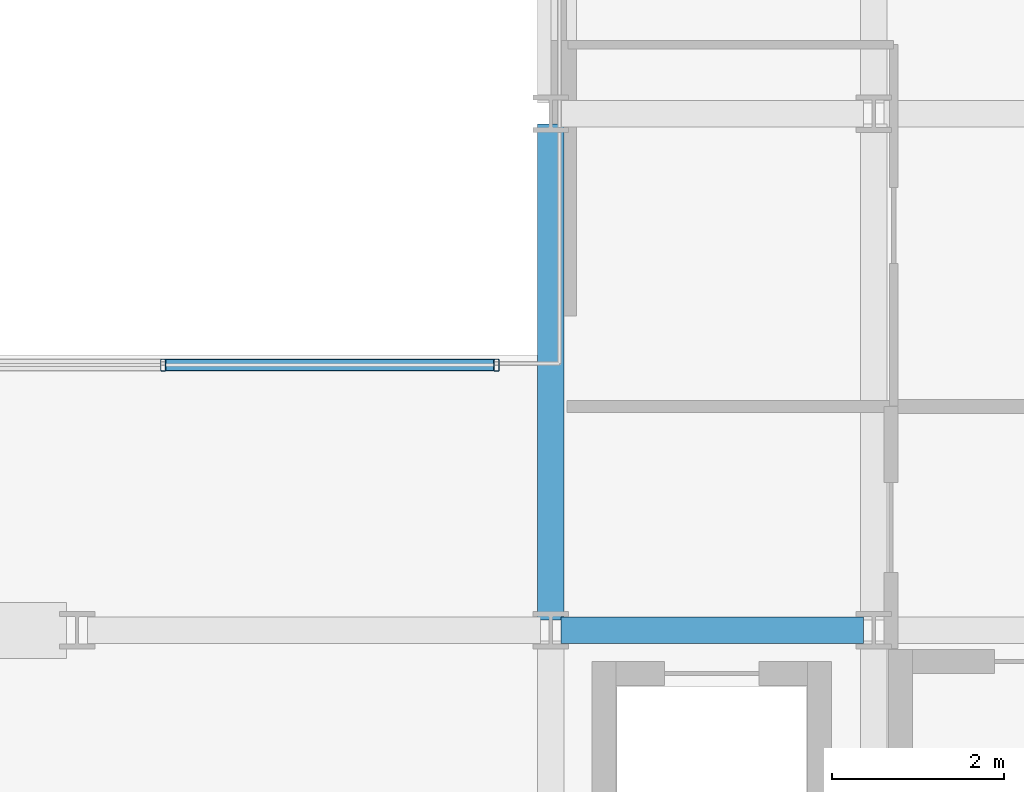
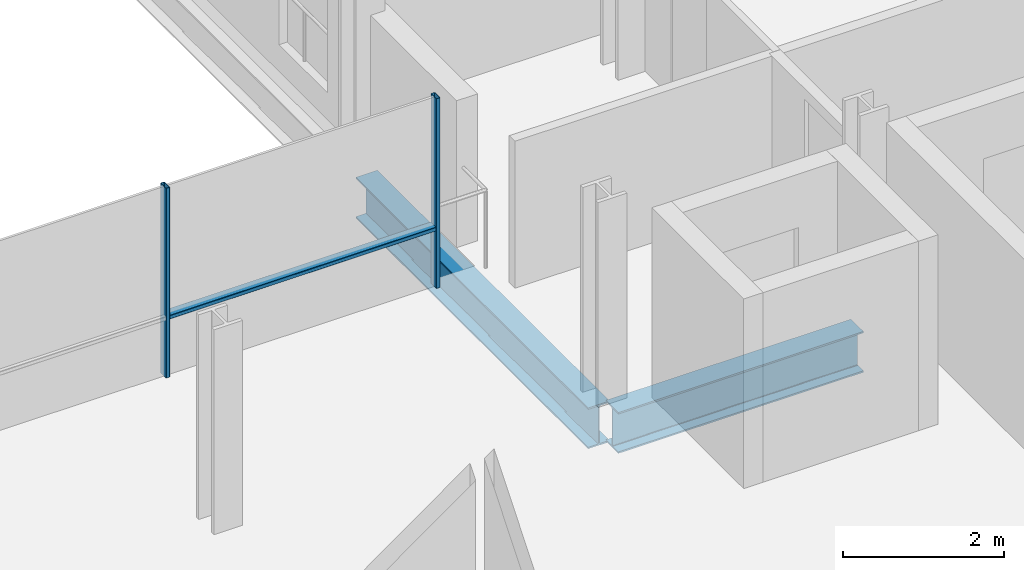
# One storey, part 13 of 39: 3 members, 2 beams, 1 element without a shape of its own.
"""IFC4 building model written with IfcOpenShell, lengths in metres."""

from ifc_helpers import new_model, si_unit, direction, frame, origin, origin_2d, place, context, subcontext, project, spatial, hollow_rectangle, i_section, extrude, material, layer, layer_set, material_profile, profile_set, type_object, element, aggregate, save


model = new_model("IFC4")

# Units and contexts
model_context = context("Model", 3, precision=1e-05, world=origin(), true_north=direction((0.0, 1.0)))
body_context = subcontext(model_context, "Body", "Model", "MODEL_VIEW")
ifc_project = project(units=[si_unit("LENGTHUNIT", "METRE"), si_unit("AREAUNIT", "SQUARE_METRE"), si_unit("VOLUMEUNIT", "CUBIC_METRE"), si_unit("PLANEANGLEUNIT", "RADIAN"), si_unit("MASSUNIT", "GRAM", prefix="KILO")], contexts=[model_context])

# Site, building, storey
site_placement = place(None, origin())
site = spatial("IfcSite", under=ifc_project, at=site_placement, CompositionType="ELEMENT")
building_placement = place(site_placement, origin())
building = spatial("IfcBuilding", under=site, at=building_placement, Name="Brevholm Reach", CompositionType="ELEMENT")
storey_placement = place(building_placement, frame((0.0, 0.0, 77.60009765625)))
storey = spatial("IfcBuildingStorey", under=building, at=storey_placement, Name="L22", CompositionType="ELEMENT", Elevation=77.60009765625)

# Beams
ifc_material_1 = material(Name="Structural Steel S355J2", Category="steel")
ifc_material_profile_1 = material_profile(ifc_material_1, i_section(OverallWidth=0.30712890625, OverallDepth=0.6201171875, WebThickness=0.01416015625, FlangeThickness=0.023681640625, FilletRadius=0.0166015625, at=origin_2d()), Name="UKB 610x305x179")
ifc_profile_set_1 = profile_set([ifc_material_profile_1], Name="Structural Steel S355J2")
beam_type = type_object("IfcBeamType", Name="BM-UKB610H", PredefinedType="USERDEFINED", material=ifc_profile_set_1)
beam_1_placement = place(storey_placement, frame((38.3701171875, 10.0, -0.540283203125), z_axis=(1.0, 0.0, 0.0), x_axis=(0.0, 1.0, 0.0)))
element("IfcBeam", 1, at=beam_1_placement, inside=storey, type_object=beam_type, Name="L22 G-06 Framing Beam", ObjectType="GIRDER", PredefinedType="USERDEFINED", context=body_context, shape_type="SweptSolid", body=[
    extrude(i_section(OverallWidth=0.30712890625, OverallDepth=0.6201171875, WebThickness=0.01416015625, FlangeThickness=0.023681640625, FilletRadius=0.0166015625, at=origin_2d()), origin(), (0.0, 0.0, 1.0), 3.509765625),
])
beam_2_placement = place(storey_placement, frame((38.25, 10.1201171875, -0.540283203125), z_axis=(0.0, 1.0, 0.0), x_axis=(-1.0, 0.0, 0.0)))
element("IfcBeam", 2, at=beam_2_placement, inside=storey, type_object=beam_type, Name="L22 G-06 Framing Beam", ObjectType="GIRDER", PredefinedType="USERDEFINED", context=body_context, shape_type="SweptSolid", body=[
    extrude(i_section(OverallWidth=0.30712890625, OverallDepth=0.6201171875, WebThickness=0.01416015625, FlangeThickness=0.023681640625, FilletRadius=0.0166015625, at=origin_2d()), origin(), (0.0, 0.0, 1.0), 5.759765625),
])

# Curtain wall, members
ifc_material_2 = material(Name="Dark Anodised Aluminium 6063-T6 and Solar-Control Glass", Category="aluminium")
ifc_layer = layer(ifc_material_2, 0.139892578125)
ifc_layer_set = layer_set([ifc_layer], Name="Dark Anodised Aluminium 6063-T6 and Solar-Control Glass")
curtain_wall_type = type_object("IfcCurtainWallType", Name="CW-02", PredefinedType="NOTDEFINED", material=ifc_layer_set)
curtain_wall_placement = place(storey_placement, origin())
curtain_wall = element("IfcCurtainWall", 3, at=curtain_wall_placement, inside=storey, type_object=curtain_wall_type, Name="L22 Curtain Wall CW-02", PredefinedType="NOTDEFINED")
ifc_material_3 = material(Name="Dark Anodised Aluminium 6063-T6", Category="aluminium")
ifc_material_profile_2 = material_profile(ifc_material_3, hollow_rectangle(XDim=0.06005859375, YDim=0.139892578125, WallThickness=0.0048828125, InnerFilletRadius=0.0048828125, OuterFilletRadius=0.010009765625, at=origin_2d()), Name="RHS 140x60x5")
ifc_profile_set_2 = profile_set([ifc_material_profile_2], Name="Dark Anodised Aluminium 6063-T6")
member_type_1 = type_object("IfcMemberType", Name="CWM-140", PredefinedType="MULLION", material=ifc_profile_set_2)
member_1_placement = place(storey_placement, frame((33.75, 13.080078125, 0.0), z_axis=(0.0, 0.0, 1.0), x_axis=(1.0, 0.0, 0.0)))
member_1 = element("IfcMember", 4, at=member_1_placement, type_object=member_type_1, Name="CM-140 Mullion 4", PredefinedType="MULLION", context=body_context, shape_type="SweptSolid", body=[
    extrude(hollow_rectangle(XDim=0.06005859375, YDim=0.139892578125, WallThickness=0.0048828125, InnerFilletRadius=0.0048828125, OuterFilletRadius=0.010009765625, at=origin_2d()), origin(), (0.0, 0.0, 1.0), 2.869873046875),
])
member_2_placement = place(storey_placement, frame((37.6201171875, 13.080078125, 0.0), z_axis=(0.0, 0.0, 1.0), x_axis=(1.0, 0.0, 0.0)))
member_2 = element("IfcMember", 5, at=member_2_placement, type_object=member_type_1, Name="CM-140 Mullion 5", PredefinedType="MULLION", context=body_context, shape_type="SweptSolid", body=[
    extrude(hollow_rectangle(XDim=0.06005859375, YDim=0.139892578125, WallThickness=0.0048828125, InnerFilletRadius=0.0048828125, OuterFilletRadius=0.010009765625, at=origin_2d()), origin(), (0.0, 0.0, 1.0), 2.869873046875),
])
ifc_material_4 = material(Name="Dark Anodised Aluminium 6063-T6", Category="aluminium")
ifc_material_profile_3 = material_profile(ifc_material_4, hollow_rectangle(XDim=0.06005859375, YDim=0.139892578125, WallThickness=0.0048828125, InnerFilletRadius=0.0048828125, OuterFilletRadius=0.010009765625, at=origin_2d()), Name="RHS 140x60x5")
ifc_profile_set_3 = profile_set([ifc_material_profile_3], Name="Dark Anodised Aluminium 6063-T6")
member_type_2 = type_object("IfcMemberType", Name="CWT-140", PredefinedType="NOTDEFINED", material=ifc_profile_set_3)
member_3_placement = place(storey_placement, frame((33.780029296875, 13.080078125, 0.89990234375), z_axis=(1.0, 0.0, 0.0), x_axis=(0.0, 0.0, 1.0)))
member_3 = element("IfcMember", 6, at=member_3_placement, type_object=member_type_2, Name="CT-140 Transom 4.1", ObjectType="TRANSOM", PredefinedType="USERDEFINED", context=body_context, shape_type="SweptSolid", body=[
    extrude(hollow_rectangle(XDim=0.06005859375, YDim=0.139892578125, WallThickness=0.0048828125, InnerFilletRadius=0.0048828125, OuterFilletRadius=0.010009765625, at=origin_2d()), origin(), (0.0, 0.0, 1.0), 3.81005859375),
])
aggregate(curtain_wall, [member_1, member_2, member_3])

save(model, "model.ifc")
